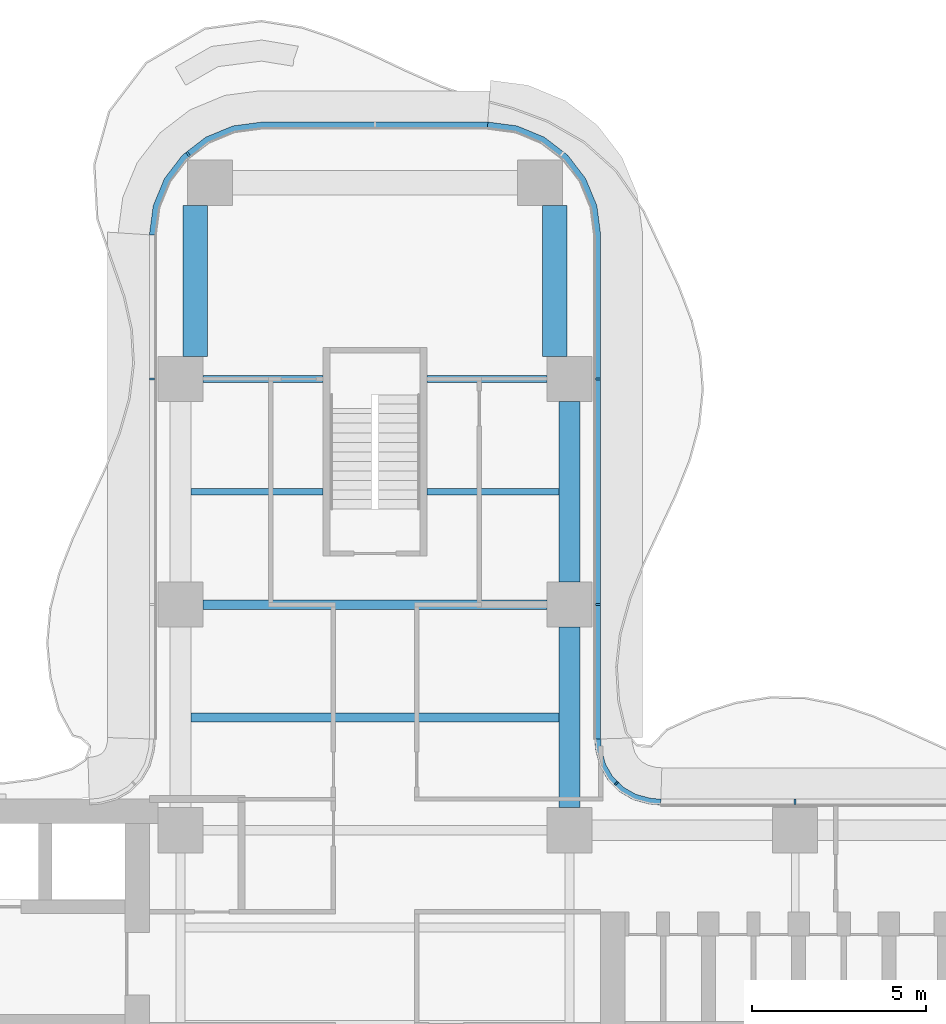
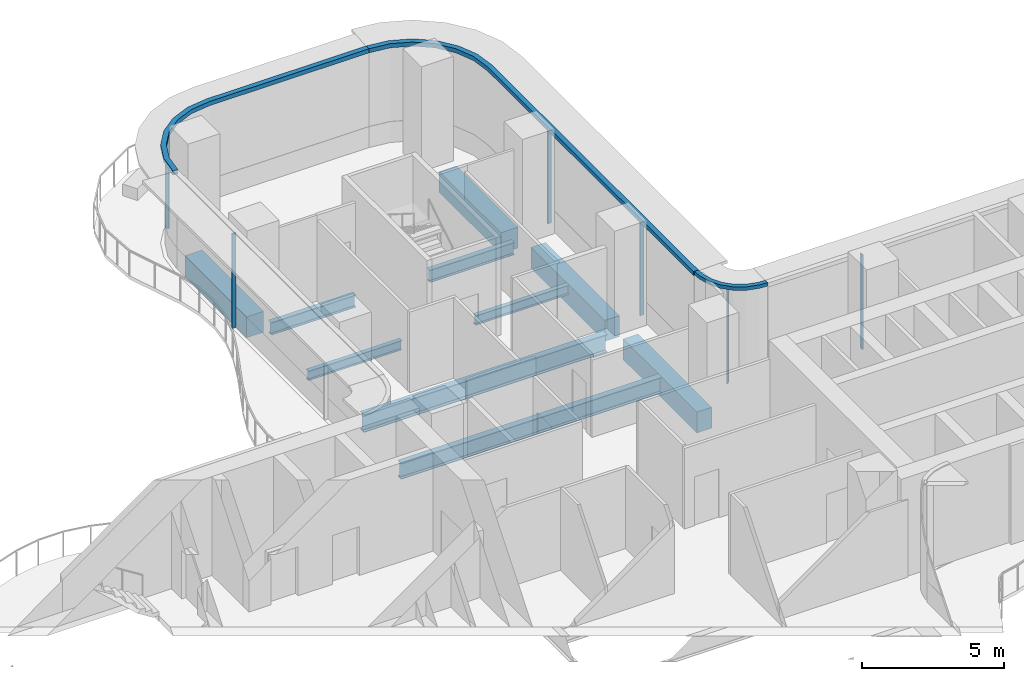
# One storey, part 9 of 21: 10 beams, 9 members, 5 elements without a shape of their own.
"""IFC4 building model written with IfcOpenShell, lengths in metres."""

from ifc_helpers import new_model, si_unit, direction, frame, origin, origin_2d, place, context, subcontext, project, spatial, polyline, rectangle, i_section, outline, extrude, source, transform, mapped, material, layer, layer_set, material_profile, profile_set, type_object, element, aggregate, save


model = new_model("IFC4")

# Units and contexts
model_context = context("Model", 3, precision=1e-05, world=origin(), true_north=direction((0.0, 1.0)))
body_context = subcontext(model_context, "Body", "Model", "MODEL_VIEW")
ifc_project = project(units=[si_unit("LENGTHUNIT", "METRE"), si_unit("AREAUNIT", "SQUARE_METRE"), si_unit("VOLUMEUNIT", "CUBIC_METRE"), si_unit("PLANEANGLEUNIT", "RADIAN"), si_unit("MASSUNIT", "GRAM", prefix="KILO")], contexts=[model_context])

# Site, building, storey
site_placement = place(None, origin())
site = spatial("IfcSite", under=ifc_project, at=site_placement, CompositionType="ELEMENT")
building_placement = place(site_placement, origin())
building = spatial("IfcBuilding", under=site, at=building_placement, Name="Trellis Farm Tower", CompositionType="ELEMENT")
storey_placement = place(building_placement, frame((0.0, 0.0, 138.0)))
storey = spatial("IfcBuildingStorey", under=building, at=storey_placement, Name="L29", CompositionType="ELEMENT", Elevation=138.0)

# Beams
ifc_material_1 = material(Name="Steel S355", Category="steel")
ifc_material_profile_1 = material_profile(ifc_material_1, i_section(OverallWidth=0.177978515625, OverallDepth=0.406494140625, WebThickness=0.0078125, FlangeThickness=0.0126953125, FilletRadius=0.01025390625, at=origin_2d()), Name="UB 406x178x60")
ifc_profile_set_1 = profile_set([ifc_material_profile_1], Name="Steel S355")
beam_type_1 = type_object("IfcBeamType", Name="UB 406x178x60 joist", PredefinedType="JOIST", material=ifc_profile_set_1)
shared_shape_1 = source(origin(), body_context, "Body", "SweptSolid", [
    extrude(i_section(OverallWidth=0.177978515625, OverallDepth=0.406494140625, WebThickness=0.0078125, FlangeThickness=0.0126953125, FilletRadius=0.01025390625, at=origin_2d()), origin(), (0.0, 0.0, 1.0), 3.800048828125),
])
for number, where, z_axis, x_axis, name in (
    (1, (-5.300048828125, 15.35009765625, -0.453125), (1.0, 0.0, 0.0), (0.0, 1.0, 0.0), "Floor beam"),
    (2, (1.5, 15.35009765625, -0.453125), (1.0, 0.0, 0.0), (0.0, 1.0, 0.0), "Floor beam"),
):
    element("IfcBeam", number, at=place(storey_placement, frame(where, z_axis=z_axis, x_axis=x_axis)), inside=storey, type_object=beam_type_1, Name=name, PredefinedType="JOIST", context=body_context, shape_type="MappedRepresentation", body=[
        mapped(shared_shape_1, transform((0.0, 0.0, 0.0))),
    ])
ifc_material_profile_2 = material_profile(ifc_material_1, i_section(OverallWidth=0.253662109375, OverallDepth=0.68359375, WebThickness=0.012451171875, FlangeThickness=0.021728515625, FilletRadius=0.01513671875, at=origin_2d()), Name="UB 686x254x140")
ifc_profile_set_2 = profile_set([ifc_material_profile_2], Name="Steel S355")
beam_type_2 = type_object("IfcBeamType", Name="UB 686x254x140 joist", PredefinedType="JOIST", material=ifc_profile_set_2)
shared_shape_2 = source(origin(), body_context, "Body", "SweptSolid", [
    extrude(i_section(OverallWidth=0.253662109375, OverallDepth=0.68359375, WebThickness=0.012451171875, FlangeThickness=0.021728515625, FilletRadius=0.01513671875, at=origin_2d()), origin(), (0.0, 0.0, 1.0), 10.60009765625),
])
beam_1_placement = place(storey_placement, frame((-5.300048828125, 8.85009765625, -0.591796875), z_axis=(1.0, 0.0, 0.0), x_axis=(0.0, 1.0, 0.0)))
element("IfcBeam", 3, at=beam_1_placement, inside=storey, type_object=beam_type_2, Name="Floor beam", PredefinedType="JOIST", context=body_context, shape_type="MappedRepresentation", body=[
    mapped(shared_shape_2, transform((0.0, 0.0, 0.0))),
])
ifc_material_profile_3 = material_profile(ifc_material_1, i_section(OverallWidth=0.209228515625, OverallDepth=0.533203125, WebThickness=0.010009765625, FlangeThickness=0.015625, FilletRadius=0.0126953125, at=origin_2d()), Name="UB 533x210x92")
ifc_profile_set_3 = profile_set([ifc_material_profile_3], Name="Steel S355")
beam_type_3 = type_object("IfcBeamType", Name="UB 533x210x92", PredefinedType="BEAM", material=ifc_profile_set_3)
shared_shape_3 = source(origin(), body_context, "Body", "SweptSolid", [
    extrude(i_section(OverallWidth=0.209228515625, OverallDepth=0.533203125, WebThickness=0.010009765625, FlangeThickness=0.015625, FilletRadius=0.0126953125, at=origin_2d()), origin(), (0.0, 0.0, 1.0), 3.449951171875),
])
for number, where, z_axis, x_axis, name in (
    (4, (-4.949951171875, 18.60009765625, -0.5166015625), (1.0, 0.0, 0.0), (0.0, 1.0, 0.0), "Girder"),
    (5, (1.5, 18.60009765625, -0.5166015625), (1.0, 0.0, 0.0), (0.0, 1.0, 0.0), "Girder"),
):
    element("IfcBeam", number, at=place(storey_placement, frame(where, z_axis=z_axis, x_axis=x_axis)), inside=storey, type_object=beam_type_3, Name=name, PredefinedType="BEAM", context=body_context, shape_type="MappedRepresentation", body=[
        mapped(shared_shape_3, transform((0.0, 0.0, 0.0))),
    ])
ifc_material_profile_4 = material_profile(ifc_material_1, i_section(OverallWidth=0.2666015625, OverallDepth=0.76220703125, WebThickness=0.014404296875, FlangeThickness=0.021484375, FilletRadius=0.0166015625, at=origin_2d()), Name="UB 762x267x173")
ifc_profile_set_4 = profile_set([ifc_material_profile_4], Name="Steel S355")
beam_type_4 = type_object("IfcBeamType", Name="UB 762x267x173", PredefinedType="BEAM", material=ifc_profile_set_4)
shared_shape_4 = source(origin(), body_context, "Body", "SweptSolid", [
    extrude(i_section(OverallWidth=0.2666015625, OverallDepth=0.76220703125, WebThickness=0.014404296875, FlangeThickness=0.021484375, FilletRadius=0.0166015625, at=origin_2d()), origin(), (0.0, 0.0, 1.0), 9.89990234375),
])
beam_2_placement = place(storey_placement, frame((-4.949951171875, 12.10009765625, -0.631103515625), z_axis=(1.0, 0.0, 0.0), x_axis=(0.0, 1.0, 0.0)))
element("IfcBeam", 6, at=beam_2_placement, inside=storey, type_object=beam_type_4, Name="Girder", PredefinedType="BEAM", context=body_context, shape_type="MappedRepresentation", body=[
    mapped(shared_shape_4, transform((0.0, 0.0, 0.0))),
])
ifc_material_2 = material(Name="Concrete C60/75", Category="concrete")
ifc_material_profile_5 = material_profile(ifc_material_2, rectangle(XDim=0.60009765625, YDim=0.89990234375, at=origin_2d()), Name="RC spandrel beam 600x900 C60/75")
ifc_profile_set_5 = profile_set([ifc_material_profile_5], Name="Concrete C60/75")
beam_type_5 = type_object("IfcBeamType", Name="RC spandrel beam 600x900 C60/75", PredefinedType="SPANDREL", material=ifc_profile_set_5)
shared_shape_5 = source(origin(), body_context, "Body", "SweptSolid", [
    extrude(rectangle(XDim=0.60009765625, YDim=0.89990234375, at=origin_2d()), origin(), (0.0, 0.0, 1.0), 5.199951171875),
])
for number, where, z_axis, x_axis, name in (
    (7, (5.60009765625, 6.25, -0.699951171875), (0.0, 1.0, 0.0), (-1.0, 0.0, 0.0), "Girder"),
    (8, (5.60009765625, 12.75, -0.699951171875), (0.0, 1.0, 0.0), (-1.0, 0.0, 0.0), "Girder"),
):
    element("IfcBeam", number, at=place(storey_placement, frame(where, z_axis=z_axis, x_axis=x_axis)), inside=storey, type_object=beam_type_5, Name=name, PredefinedType="SPANDREL", context=body_context, shape_type="MappedRepresentation", body=[
        mapped(shared_shape_5, transform((0.0, 0.0, 0.0))),
    ])
ifc_material_profile_6 = material_profile(ifc_material_2, rectangle(XDim=0.699951171875, YDim=0.89990234375, at=origin_2d()), Name="RC spandrel beam 700x900 C60/75")
ifc_profile_set_6 = profile_set([ifc_material_profile_6], Name="Concrete C60/75")
beam_type_6 = type_object("IfcBeamType", Name="RC spandrel beam 700x900 C60/75", PredefinedType="SPANDREL", material=ifc_profile_set_6)
shared_shape_6 = source(origin(), body_context, "Body", "SweptSolid", [
    extrude(rectangle(XDim=0.699951171875, YDim=0.89990234375, at=origin_2d()), origin(), (0.0, 0.0, 1.0), 4.35009765625),
])
for number, where, z_axis, x_axis, name in (
    (9, (-5.175048828125, 19.25, -0.699951171875), (0.0, 1.0, 0.0), (-1.0, 0.0, 0.0), "Girder"),
    (10, (5.175048828125, 19.25, -0.699951171875), (0.0, 1.0, 0.0), (-1.0, 0.0, 0.0), "Girder"),
):
    element("IfcBeam", number, at=place(storey_placement, frame(where, z_axis=z_axis, x_axis=x_axis)), inside=storey, type_object=beam_type_6, Name=name, PredefinedType="SPANDREL", context=body_context, shape_type="MappedRepresentation", body=[
        mapped(shared_shape_6, transform((0.0, 0.0, 0.0))),
    ])

# Curtain wall, member
ifc_material_3 = material(Name="Aluminium and glass curtain wall", Category="aluminium")
ifc_layer_1 = layer(ifc_material_3, 0.18994140625)
ifc_layer_set_1 = layer_set([ifc_layer_1], Name="RIBBON CURTAIN WALL CW1")
curtain_wall_type_1 = type_object("IfcCurtainWallType", Name="RIBBON CURTAIN WALL CW1", PredefinedType="NOTDEFINED", material=ifc_layer_set_1)
placement_1 = place(storey_placement, origin())
curtain_wall_1 = element("IfcCurtainWall", 11, at=placement_1, inside=storey, type_object=curtain_wall_type_1, Name="CW1 008", PredefinedType="NOTDEFINED")
ifc_material_4 = material(Name="Aluminium extrusion 6063-T6", Category="aluminium")
ifc_material_profile_7 = material_profile(ifc_material_4, rectangle(XDim=0.06005859375, YDim=0.14990234375, at=origin_2d()), Name="MULLION 60x150")
ifc_profile_set_7 = profile_set([ifc_material_profile_7], Name="Aluminium extrusion 6063-T6")
member_type_1 = type_object("IfcMemberType", Name="CW1 MULLION 60x150", PredefinedType="MULLION", material=ifc_profile_set_7)
shared_shape_7 = source(origin(), body_context, "Body", "SweptSolid", [
    extrude(rectangle(XDim=0.06005859375, YDim=0.14990234375, at=origin_2d()), origin(), (0.0, 0.0, 1.0), 4.070068359375),
])
member_1_placement = place(storey_placement, frame((12.10009765625, 6.425048828125, 0.0), z_axis=(0.0, 0.0, 1.0), x_axis=(-1.0, 0.0, 0.0)))
member_1 = element("IfcMember", 12, at=member_1_placement, type_object=member_type_1, Name="MU1 008-02", PredefinedType="MULLION", context=body_context, shape_type="MappedRepresentation", body=[
    mapped(shared_shape_7, transform((0.0, 0.0, 0.0))),
])
aggregate(curtain_wall_1, [member_1])

# Curtain wall, members
curtain_wall_2 = element("IfcCurtainWall", 13, at=placement_1, inside=storey, type_object=curtain_wall_type_1, Name="CW1 009", PredefinedType="NOTDEFINED")
member_2_placement = place(storey_placement, frame((6.425048828125, 12.10009765625, 0.0), z_axis=(0.0, 0.0, 1.0), x_axis=(0.0, 1.0, 0.0)))
member_2 = element("IfcMember", 14, at=member_2_placement, type_object=member_type_1, Name="MU1 009-01", PredefinedType="MULLION", context=body_context, shape_type="MappedRepresentation", body=[
    mapped(shared_shape_7, transform((0.0, 0.0, 0.0))),
])
member_3_placement = place(storey_placement, frame((6.425048828125, 18.60009765625, 0.0), z_axis=(0.0, 0.0, 1.0), x_axis=(0.0, 1.0, 0.0)))
member_3 = element("IfcMember", 15, at=member_3_placement, type_object=member_type_1, Name="MU1 009-02", PredefinedType="MULLION", context=body_context, shape_type="MappedRepresentation", body=[
    mapped(shared_shape_7, transform((0.0, 0.0, 0.0))),
])

# Curtain wall, member
curtain_wall_3 = element("IfcCurtainWall", 16, at=placement_1, inside=storey, type_object=curtain_wall_type_1, Name="CW1 010", PredefinedType="NOTDEFINED")
member_4_placement = place(storey_placement, frame((-5.385498046875, 25.078369140625, 0.0), z_axis=(0.0, 0.0, 1.0), x_axis=(-0.793353340291, -0.608761429009, 0.0)))
member_4 = element("IfcMember", 17, at=member_4_placement, type_object=member_type_1, Name="MU1 010-02", PredefinedType="MULLION", context=body_context, shape_type="MappedRepresentation", body=[
    mapped(shared_shape_7, transform((0.0, 0.0, 0.0))),
])

curtain_wall_4 = element("IfcCurtainWall", 18, at=placement_1, inside=storey, type_object=curtain_wall_type_1, Name="CW1 011", PredefinedType="NOTDEFINED")
member_5_placement = place(storey_placement, frame((-6.425048828125, 18.60009765625, 0.0), z_axis=(0.0, 0.0, 1.0), x_axis=(0.0, -1.0, 0.0)))
member_5 = element("IfcMember", 19, at=member_5_placement, type_object=member_type_1, Name="MU1 011-01", PredefinedType="MULLION", context=body_context, shape_type="MappedRepresentation", body=[
    mapped(shared_shape_7, transform((0.0, 0.0, 0.0))),
])
aggregate(curtain_wall_4, [member_5])

# Curtain wall, members
ifc_layer_2 = layer(ifc_material_3, 0.166015625)
ifc_layer_set_2 = layer_set([ifc_layer_2], Name="WINTER GARDEN CURTAIN WALL CW3")
curtain_wall_type_2 = type_object("IfcCurtainWallType", Name="WINTER GARDEN CURTAIN WALL CW3", PredefinedType="NOTDEFINED", material=ifc_layer_set_2)
curtain_wall_5 = element("IfcCurtainWall", 20, at=placement_1, inside=storey, type_object=curtain_wall_type_2, Name="CW3 003", PredefinedType="NOTDEFINED")
ifc_material_profile_8 = material_profile(ifc_material_4, rectangle(XDim=0.050048828125, YDim=0.1201171875, at=origin_2d()), Name="MULLION 50x120")
ifc_profile_set_8 = profile_set([ifc_material_profile_8], Name="Aluminium extrusion 6063-T6")
member_type_2 = type_object("IfcMemberType", Name="CW3 MULLION 50x120", PredefinedType="MULLION", material=ifc_profile_set_8)
shared_shape_8 = source(origin(), body_context, "Body", "SweptSolid", [
    extrude(rectangle(XDim=0.050048828125, YDim=0.1201171875, at=origin_2d()), origin(), (0.0, 0.0, 1.0), 4.10009765625),
])
member_6_placement = place(storey_placement, frame((6.953125, 6.953125, 0.0), z_axis=(0.0, 0.0, 1.0), x_axis=(-0.707106781187, 0.707106781187, 0.0)))
member_6 = element("IfcMember", 21, at=member_6_placement, type_object=member_type_2, Name="MU3 003-01", PredefinedType="MULLION", context=body_context, shape_type="MappedRepresentation", body=[
    mapped(shared_shape_8, transform((0.0, 0.0, 0.0))),
])
ifc_layer_3 = layer(ifc_material_4, 0.169921875)
ifc_layer_set_3 = layer_set([ifc_layer_3], Name="Aluminium extrusion 6063-T6")
member_type_3 = type_object("IfcMemberType", Name="CW3 TRANSOM 170x150", PredefinedType="USERDEFINED", material=ifc_layer_set_3)
shared_shape_9 = source(origin(), body_context, "Body", "SweptSolid", [
    extrude(outline(polyline([(8.2314453125, 6.5), (8.01953125, 6.513916015625), (7.91552734375, 6.527587890625), (7.508544921875, 6.63671875), (7.144287109375, 6.846923828125), (6.846923828125, 7.144287109375), (6.63671875, 7.508544921875), (6.527587890625, 7.91552734375), (6.513916015625, 8.01953125), (6.5, 8.2314453125), (6.330078125, 8.225830078125), (6.3447265625, 8.0029296875), (6.360595703125, 7.88232421875), (6.478271484375, 7.44287109375), (6.7109375, 7.0400390625), (7.0400390625, 6.7109375), (7.44287109375, 6.478271484375), (7.88232421875, 6.360595703125), (8.0029296875, 6.3447265625), (8.225830078125, 6.330078125), (8.2314453125, 6.5)])), origin(), (0.0, 0.0, 1.0), 0.14990234375),
])
member_7_placement = place(storey_placement, frame((0.0, 0.0, 4.10009765625)))
member_7 = element("IfcMember", 22, at=member_7_placement, type_object=member_type_3, Name="TR3 003", ObjectType="TRANSOM", PredefinedType="USERDEFINED", context=body_context, shape_type="MappedRepresentation", body=[
    mapped(shared_shape_9, transform((0.0, 0.0, 0.0))),
])
aggregate(curtain_wall_5, [member_6, member_7])

# Member
ifc_layer_4 = layer(ifc_material_4, 0.199951171875)
ifc_layer_set_4 = layer_set([ifc_layer_4], Name="Aluminium extrusion 6063-T6")
member_type_4 = type_object("IfcMemberType", Name="CW1 TRANSOM 200x180", PredefinedType="USERDEFINED", material=ifc_layer_set_4)
shared_shape_10 = source(origin(), body_context, "Body", "SweptSolid", [
    extrude(outline(polyline([(6.5, 8.2314453125), (6.5, 22.75), (6.38916015625, 23.591064453125), (6.064697265625, 24.375), (5.548095703125, 25.048095703125), (4.875, 25.564697265625), (4.091064453125, 25.88916015625), (3.25, 26.0), (3.23681640625, 25.800048828125), (4.0390625, 25.6943359375), (4.774169921875, 25.389892578125), (5.405517578125, 24.905517578125), (5.889892578125, 24.274169921875), (6.1943359375, 23.5390625), (6.300048828125, 22.73681640625), (6.300048828125, 8.224853515625), (6.5, 8.2314453125)])), origin(), (0.0, 0.0, 1.0), 0.179931640625),
])
placement_2 = place(storey_placement, frame((0.0, 0.0, 4.070068359375)))
member_8 = element("IfcMember", 23, at=placement_2, type_object=member_type_4, Name="TR1 009", ObjectType="TRANSOM", PredefinedType="USERDEFINED", context=body_context, shape_type="MappedRepresentation", body=[
    mapped(shared_shape_10, transform((0.0, 0.0, 0.0))),
])

aggregate(curtain_wall_2, [member_2, member_3, member_8])

shared_shape_11 = source(origin(), body_context, "Body", "SweptSolid", [
    extrude(outline(polyline([(3.25, 26.0), (-3.25, 26.0), (-4.091064453125, 25.88916015625), (-4.875, 25.564697265625), (-5.548095703125, 25.048095703125), (-6.064697265625, 24.375), (-6.38916015625, 23.591064453125), (-6.5, 22.75), (-6.300048828125, 22.73681640625), (-6.1943359375, 23.5390625), (-5.889892578125, 24.274169921875), (-5.405517578125, 24.905517578125), (-4.774169921875, 25.389892578125), (-4.0390625, 25.6943359375), (-3.23681640625, 25.800048828125), (3.23681640625, 25.800048828125), (3.25, 26.0)])), origin(), (0.0, 0.0, 1.0), 0.179931640625),
])
member_9 = element("IfcMember", 24, at=placement_2, type_object=member_type_4, Name="TR1 010", ObjectType="TRANSOM", PredefinedType="USERDEFINED", context=body_context, shape_type="MappedRepresentation", body=[
    mapped(shared_shape_11, transform((0.0, 0.0, 0.0))),
])

aggregate(curtain_wall_3, [member_4, member_9])

save(model, "model.ifc")
